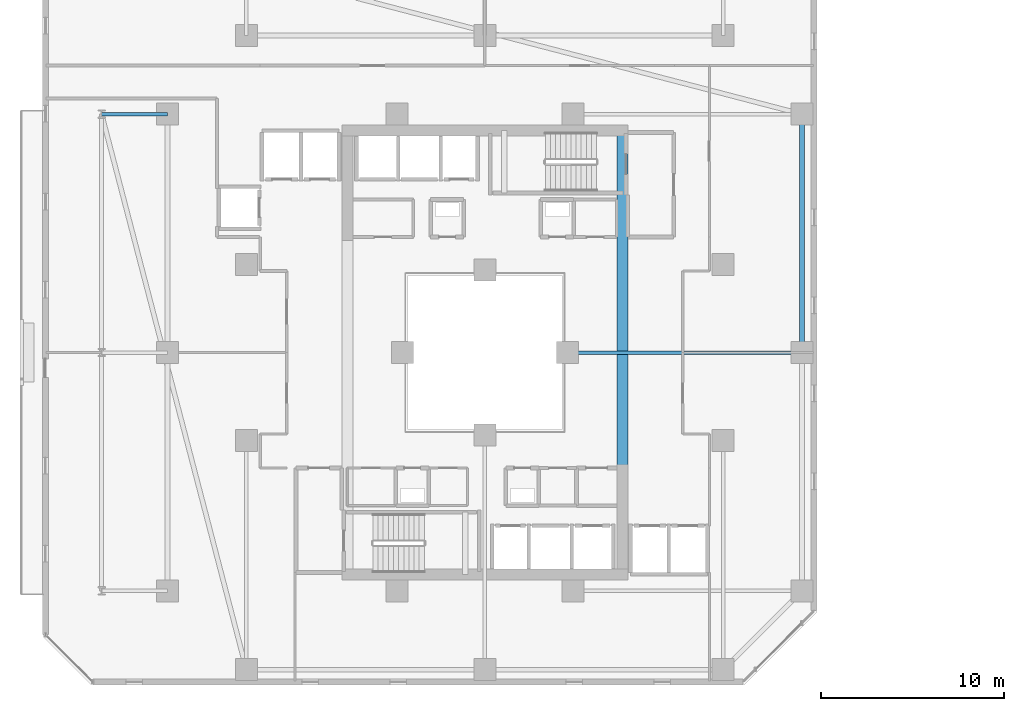
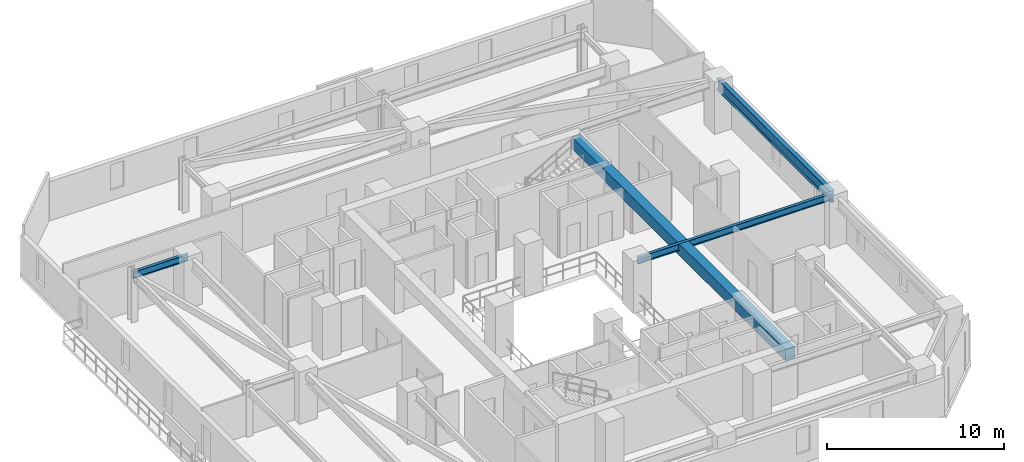
# One storey, part 6 of 33: 4 beams.
"""IFC4 building model written with IfcOpenShell, lengths in metres."""

from ifc_helpers import new_model, si_unit, direction, frame, origin, origin_2d, place, context, subcontext, project, spatial, rectangle, i_section, extrude, material, material_profile, profile_set, type_object, element, save


model = new_model("IFC4")

# Units and contexts
model_context = context("Model", 3, precision=1e-05, world=origin(), true_north=direction((0.0, 1.0)))
body_context = subcontext(model_context, "Body", "Model", "MODEL_VIEW")
ifc_project = project(units=[si_unit("LENGTHUNIT", "METRE"), si_unit("AREAUNIT", "SQUARE_METRE"), si_unit("VOLUMEUNIT", "CUBIC_METRE"), si_unit("PLANEANGLEUNIT", "RADIAN"), si_unit("MASSUNIT", "GRAM", prefix="KILO")], contexts=[model_context])

# Site, building, storey
site_placement = place(None, origin())
site = spatial("IfcSite", under=ifc_project, at=site_placement, CompositionType="ELEMENT")
building_placement = place(site_placement, origin())
building = spatial("IfcBuilding", under=site, at=building_placement, Name="Thornwick Lancets Civic Towers", CompositionType="ELEMENT")
storey_placement = place(building_placement, frame((0.0, 0.0, 101.699951171875)))
storey = spatial("IfcBuildingStorey", under=building, at=storey_placement, Name="L26", CompositionType="ELEMENT", Elevation=101.699951171875)

# Beams
ifc_material_1 = material(Name="Concrete C60/75", Category="concrete")
ifc_material_profile_1 = material_profile(ifc_material_1, rectangle(XDim=0.60009765625, YDim=0.800048828125, at=origin_2d()), Name="RC 600x800")
ifc_profile_set_1 = profile_set([ifc_material_profile_1], Name="Concrete C60/75")
beam_type_1 = type_object("IfcBeamType", Name="BM_COUP_RC800", PredefinedType="BEAM", material=ifc_profile_set_1)
beam_1_placement = place(storey_placement, frame((33.0, 14.89990234375, 2.9599609375), z_axis=(0.0, 1.0, 0.0), x_axis=(-1.0, 0.0, 0.0)))
element("IfcBeam", 1, at=beam_1_placement, inside=storey, type_object=beam_type_1, Name="CB-L26-A1", PredefinedType="BEAM", context=body_context, shape_type="SweptSolid", body=[
    extrude(rectangle(XDim=0.60009765625, YDim=0.800048828125, at=origin_2d()), origin(), (0.0, 0.0, 1.0), 24.2001953125),
])
ifc_material_2 = material(Name="Steel S355JR", Category="steel")
ifc_material_profile_2 = material_profile(ifc_material_2, i_section(OverallWidth=0.26806640625, OverallDepth=0.769775390625, WebThickness=0.015625, FlangeThickness=0.025390625, FilletRadius=0.0166015625, at=origin_2d()), Name="UKB 762x267x197")
ifc_profile_set_2 = profile_set([ifc_material_profile_2], Name="Steel S355JR")
beam_type_2 = type_object("IfcBeamType", Name="BM_GIRD_762_197", PredefinedType="BEAM", material=ifc_profile_set_2)
beam_2_placement = place(storey_placement, frame((42.800048828125, 27.080078125, 2.97509765625), z_axis=(0.0, 1.0, 0.0), x_axis=(-1.0, 0.0, 0.0)))
element("IfcBeam", 2, at=beam_2_placement, inside=storey, type_object=beam_type_2, Name="BM-SPINE-L26-A-4-5", PredefinedType="BEAM", context=body_context, shape_type="SweptSolid", body=[
    extrude(i_section(OverallWidth=0.26806640625, OverallDepth=0.769775390625, WebThickness=0.015625, FlangeThickness=0.025390625, FilletRadius=0.0166015625, at=origin_2d()), origin(), (0.0, 0.0, 1.0), 12.919921875),
])
ifc_material_profile_3 = material_profile(ifc_material_2, i_section(OverallWidth=0.19287109375, OverallDepth=0.46728515625, WebThickness=0.011474609375, FlangeThickness=0.01953125, FilletRadius=0.01025390625, at=origin_2d()), Name="UKB 457x191x98")
ifc_profile_set_3 = profile_set([ifc_material_profile_3], Name="Steel S355JR")
beam_type_3 = type_object("IfcBeamType", Name="BM_JOIST_457_98", PredefinedType="JOIST", material=ifc_profile_set_3)
beam_3_placement = place(storey_placement, frame((30.0, 27.0, 3.12646484375), z_axis=(1.0, 0.0, 0.0), x_axis=(0.0, 1.0, 0.0)))
element("IfcBeam", 3, at=beam_3_placement, inside=storey, type_object=beam_type_3, Name="BM-RADIN-L26-A05", PredefinedType="JOIST", context=body_context, shape_type="SweptSolid", body=[
    extrude(i_section(OverallWidth=0.19287109375, OverallDepth=0.46728515625, WebThickness=0.011474609375, FlangeThickness=0.01953125, FilletRadius=0.01025390625, at=origin_2d()), origin(), (0.0, 0.0, 1.0), 12.800048828125),
])
beam_4_placement = place(storey_placement, frame((8.199951171875, 40.0, 3.12646484375), z_axis=(-1.0, 0.0, 0.0), x_axis=(0.0, -1.0, 0.0)))
element("IfcBeam", 4, at=beam_4_placement, inside=storey, type_object=beam_type_3, Name="BM-RAD-L26-A12", PredefinedType="JOIST", context=body_context, shape_type="SweptSolid", body=[
    extrude(i_section(OverallWidth=0.19287109375, OverallDepth=0.46728515625, WebThickness=0.011474609375, FlangeThickness=0.01953125, FilletRadius=0.01025390625, at=origin_2d()), origin(), (0.0, 0.0, 1.0), 3.599853515625),
])

save(model, "model.ifc")
